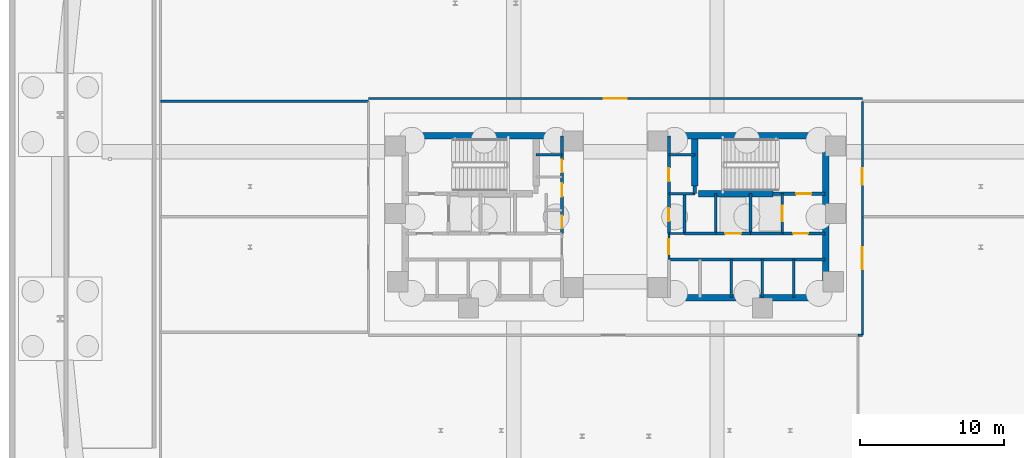
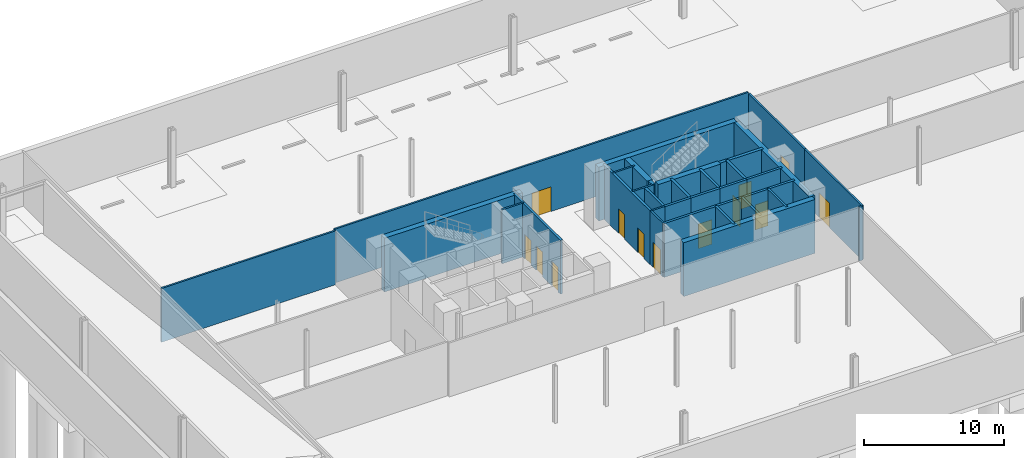
# One storey, part 12 of 16: 32 walls, 13 doors, 13 openings.
"""IFC4 building model written with IfcOpenShell, lengths in metres."""

import ifcopenshell
import ifcopenshell.guid

model = None  # the IFC model being written
_history = None  # IfcOwnerHistory: only IFC2X3 demands one
_inside = {}  # id of a spatial element -> (the spatial element, [elements in it])
_under = {}  # id of a project, library or spatial element -> (it, [spatial elements below it])
_declared = {}  # id of a project -> (the project, [libraries it declares])
_typed = {}  # id of a type object -> (the type object, [elements of that type])
_made_of = {}  # id of a material, layer set ... -> (it, [elements and type objects made of it])


def new_model(schema):
    """Start an empty IFC model of exactly this schema.

    Asked for "IFC4X3", IfcOpenShell would pick the latest addendum, in which some entities
    have other attributes; the version numbers below select the first issue.
    IFC2X3 requires an IfcOwnerHistory on every rooted entity: one is made here for all.
    """
    global model, _history
    if schema == "IFC4X3":
        model = ifcopenshell.file(schema_version=(4, 3, 0, 0))
    else:
        model = ifcopenshell.file(schema=schema)
    _inside.clear()
    _under.clear()
    _declared.clear()
    _typed.clear()
    _made_of.clear()
    _history = None
    if model.schema == "IFC2X3":
        org = make("IfcOrganization", Name="unknown")
        user = make(
            "IfcPersonAndOrganization",
            ThePerson=make("IfcPerson", FamilyName="unknown"),
            TheOrganization=org,
        )
        app = make(
            "IfcApplication",
            ApplicationDeveloper=org,
            Version="unknown",
            ApplicationFullName="unknown",
            ApplicationIdentifier="unknown",
        )
        _history = make(
            "IfcOwnerHistory",
            OwningUser=user,
            OwningApplication=app,
            ChangeAction="ADDED",
            CreationDate=0,
        )
    return model


def make(cls, **values):
    """One entity of the class cls with the attributes given. An attribute that is None is left unset."""
    return model.create_entity(
        cls, **{name: value for name, value in values.items() if value is not None}
    )


def rooted(cls, **values):
    """An entity with a GlobalId (a new one), such as an element, a storey or a relation."""
    return make(cls, GlobalId=ifcopenshell.guid.new(), OwnerHistory=_history, **values)


def si_unit(unit_type, name, prefix=None):
    """IfcSIUnit, for example si_unit("LENGTHUNIT", "METRE", prefix="MILLI")."""
    return make("IfcSIUnit", UnitType=unit_type, Prefix=prefix, Name=name)


def assignment(units):
    """IfcUnitAssignment: the units of a project."""
    return None if units is None else make("IfcUnitAssignment", Units=units)


def point(xyz):
    """IfcCartesianPoint."""
    return None if xyz is None else make("IfcCartesianPoint", Coordinates=xyz)


def direction(xyz):
    """IfcDirection."""
    return None if xyz is None else make("IfcDirection", DirectionRatios=xyz)


def frame(location, z_axis=None, x_axis=None):
    """IfcAxis2Placement3D, a coordinate frame: its origin and axes. An axis left out is left unset."""
    return make(
        "IfcAxis2Placement3D",
        Location=point(location),
        Axis=direction(z_axis),
        RefDirection=direction(x_axis),
    )


def frame_2d(location, x_axis=None):
    """IfcAxis2Placement2D, a coordinate frame in the plane: its origin and x axis."""
    return make(
        "IfcAxis2Placement2D", Location=point(location), RefDirection=direction(x_axis)
    )


def origin():
    """The frame at (0, 0, 0) with its axes left unset."""
    return frame((0.0, 0.0, 0.0))


def place(relative_to, where):
    """IfcLocalPlacement: puts the frame where relative to a parent placement (None: the world)."""
    return make(
        "IfcLocalPlacement", PlacementRelTo=relative_to, RelativePlacement=where
    )


def context(
    kind, dimensions, precision=None, world=None, true_north=None, identifier=None
):
    """IfcGeometricRepresentationContext, for example the 3D "Model" context."""
    return make(
        "IfcGeometricRepresentationContext",
        ContextIdentifier=identifier,
        ContextType=kind,
        CoordinateSpaceDimension=dimensions,
        Precision=precision,
        WorldCoordinateSystem=world,
        TrueNorth=true_north,
    )


def subcontext(parent, identifier, kind, view, scale=None):
    """IfcGeometricRepresentationSubContext, for example "Body" below "Model"."""
    return make(
        "IfcGeometricRepresentationSubContext",
        ContextIdentifier=identifier,
        ContextType=kind,
        ParentContext=parent,
        TargetScale=scale,
        TargetView=view,
    )


def project(units=None, contexts=None):
    """IfcProject with its units and contexts."""
    return rooted(
        "IfcProject",
        Name="project",
        RepresentationContexts=contexts,
        UnitsInContext=assignment(units),
    )


def spatial(cls, under=None, at=None, **own):
    """A site, building, storey or space (cls), placed at a placement, below another one or the project."""
    s = rooted(cls, ObjectPlacement=at, **own)
    if under is not None:
        _under.setdefault(under.id(), (under, []))[1].append(s)
    return s


def profile(cls, at=None, kind="AREA", **sizes):
    """A parametric profile (cls). Its sizes go by their IFC names, for example OverallWidth=200.0."""
    return make(cls, ProfileType=kind, Position=at, **sizes)


def rectangle(**sizes):
    """IfcRectangleProfileDef."""
    return profile("IfcRectangleProfileDef", **sizes)


def extrude(swept, where, along, depth):
    """IfcExtrudedAreaSolid: the profile swept, set in the frame where, extruded along a direction by depth."""
    return make(
        "IfcExtrudedAreaSolid",
        SweptArea=swept,
        Position=where,
        ExtrudedDirection=direction(along),
        Depth=depth,
    )


def shape(context_of_items, identifier, shape_type, items):
    """IfcShapeRepresentation: the items that make up one representation, for example the "Body"."""
    return make(
        "IfcShapeRepresentation",
        ContextOfItems=context_of_items,
        RepresentationIdentifier=identifier,
        RepresentationType=shape_type,
        Items=items,
    )


def material(Name=None, Category=None):
    """IfcMaterial."""
    return make("IfcMaterial", Name=Name, Category=Category)


def layer(
    of_material, thickness, ventilated=None, Name=None, Category=None, Priority=None
):
    """IfcMaterialLayer: one layer of a wall or slab, of a material (None: an air gap)."""
    return make(
        "IfcMaterialLayer",
        Material=of_material,
        LayerThickness=thickness,
        IsVentilated=ventilated,
        Name=Name,
        Category=Category,
        Priority=Priority,
    )


def layer_set(layers, Name=None):
    """IfcMaterialLayerSet."""
    return make("IfcMaterialLayerSet", MaterialLayers=layers, LayerSetName=Name)


def made_of(thing, what):
    """Note that an element or type object is made of a material, layer set ...; save() writes the relation."""
    if what is not None:
        _made_of.setdefault(what.id(), (what, []))[1].append(thing)
    return thing


def type_object(cls, material=None, **own):
    """A type object (cls), such as IfcWallType, which elements share."""
    return made_of(rooted(cls, **own), material)


def element(
    cls,
    number,
    at=None,
    inside=None,
    cuts=None,
    type_object=None,
    material=None,
    context=None,
    identifier="Body",
    shape_type=None,
    held_by="IfcProductDefinitionShape",
    body=None,
    shapes=None,
    **own,
):
    """One element of the class cls, such as IfcWall. Its Tag is "e" and its number.

    at: its placement. inside: the storey or other place that contains it. cuts: it is an
    opening in that element (IfcRelVoidsElement). A single representation is given by context,
    identifier, shape_type and body (its items); several are given by shapes. held_by: the class
    of the entity that holds the representations. save() writes the other relations.
    """
    e = rooted(cls, Tag="e%d" % number, ObjectPlacement=at, **own)
    if body is not None:
        shapes = [shape(context, identifier, shape_type, body)]
    if shapes is not None:
        e.Representation = make(held_by, Representations=shapes)
    if inside is not None:
        _inside.setdefault(inside.id(), (inside, []))[1].append(e)
    if cuts is not None:
        rooted(
            "IfcRelVoidsElement", RelatingBuildingElement=cuts, RelatedOpeningElement=e
        )
    if type_object is not None:
        _typed.setdefault(type_object.id(), (type_object, []))[1].append(e)
    return made_of(e, material)


def fill(opening, filler):
    """IfcRelFillsElement: the door or window that sits in an opening."""
    return rooted(
        "IfcRelFillsElement",
        RelatingOpeningElement=opening,
        RelatedBuildingElement=filler,
    )


def aggregate(whole, parts):
    """IfcRelAggregates: a whole, such as a stair, and the parts it consists of."""
    return rooted("IfcRelAggregates", RelatingObject=whole, RelatedObjects=parts)


def save(model, path):
    """Write the relations noted so far, then the file.

    IfcRelAggregates (storeys below a building ...), IfcRelContainedInSpatialStructure (elements
    in a storey), IfcRelDefinesByType, IfcRelAssociatesMaterial and IfcRelDeclares: one each for
    every whole, place, type object, material and project.
    """
    for whole, parts in _under.values():
        aggregate(whole, parts)
    for where, things in _inside.values():
        rooted(
            "IfcRelContainedInSpatialStructure",
            RelatedElements=things,
            RelatingStructure=where,
        )
    for kind, things in _typed.values():
        rooted("IfcRelDefinesByType", RelatedObjects=things, RelatingType=kind)
    for what, things in _made_of.values():
        rooted("IfcRelAssociatesMaterial", RelatedObjects=things, RelatingMaterial=what)
    for by, libraries in _declared.values():
        rooted("IfcRelDeclares", RelatingContext=by, RelatedDefinitions=libraries)
    model.write(path)


model = new_model("IFC4")

# Units and contexts
model_context = context("Model", 3, precision=1e-05, world=origin(), true_north=direction((0.0, 1.0)))
body_context = subcontext(model_context, "Body", "Model", "MODEL_VIEW")
ifc_project = project(units=[si_unit("LENGTHUNIT", "METRE"), si_unit("AREAUNIT", "SQUARE_METRE"), si_unit("VOLUMEUNIT", "CUBIC_METRE"), si_unit("PLANEANGLEUNIT", "RADIAN"), si_unit("MASSUNIT", "GRAM", prefix="KILO")], contexts=[model_context])

# Site, building, storey
site_placement = place(None, origin())
site = spatial("IfcSite", under=ifc_project, at=site_placement, CompositionType="ELEMENT")
building_placement = place(site_placement, origin())
building = spatial("IfcBuilding", under=site, at=building_placement, Name="Menara Jurai Vektor", CompositionType="ELEMENT")
storey_placement = place(building_placement, frame((0.0, 0.0, -5.0)))
storey = spatial("IfcBuildingStorey", under=building, at=storey_placement, Name="B1", CompositionType="ELEMENT", Elevation=-5.0)

# Wall, opening, door
ifc_material_1 = material(Name="Concrete C40/50", Category="concrete")
ifc_layer_1 = layer(ifc_material_1, 0.25)
ifc_layer_set_1 = layer_set([ifc_layer_1], Name="Concrete C40/50")
wall_type_1 = type_object("IfcWallType", Name="INT-WALL-CORE-250", PredefinedType="STANDARD", material=ifc_layer_set_1)
wall_1_placement = place(storey_placement, frame((10.89990234375, 1.60009765625, 0.0), z_axis=(0.0, 0.0, 1.0), x_axis=(1.0, 0.0, 0.0)))
wall_1 = element("IfcWall", 1, at=wall_1_placement, inside=storey, type_object=wall_type_1, Name="Interior Wall IW-250 B1", PredefinedType="STANDARD", context=body_context, shape_type="SweptSolid", body=[
    extrude(rectangle(XDim=3.60009765625, YDim=0.25, at=frame_2d((1.800048828125, 0.0))), origin(), (0.0, 0.0, 1.0), 4.699951171875),
])
opening_1_placement = place(wall_1_placement, frame((1.6201171875, 0.0, 0.0)))
opening_1 = element("IfcOpeningElement", 2, at=opening_1_placement, cuts=wall_1, Name="Opening D-B1-ST2", PredefinedType="OPENING", context=body_context, shape_type="SweptSolid", body=[
    extrude(rectangle(XDim=1.050048828125, YDim=2.14990234375, at=frame_2d((0.52490234375, 1.074951171875))), frame((0.0, 0.135009765625, 0.0), z_axis=(0.0, -1.0, 0.0), x_axis=(1.0, 0.0, 0.0)), (0.0, 0.0, 1.0), 0.27001953125),
])
ifc_material_2 = material(Name="Fire-Rated Steel Door", Category="steel")
door_type_1 = type_object("IfcDoorType", Name="DR-STAIR-1050", OperationType="NOTDEFINED", PredefinedType="DOOR", material=ifc_material_2)
door_1_placement = place(opening_1_placement, origin())
door_1 = element("IfcDoor", 3, at=door_1_placement, inside=storey, type_object=door_type_1, Name="Exit Stair ST2 Door B1", OperationType="SINGLE_SWING_LEFT", OverallHeight=2.14990234375, OverallWidth=1.050048828125, PredefinedType="DOOR", context=body_context, shape_type="SweptSolid", body=[
    extrude(rectangle(XDim=1.050048828125, YDim=2.14990234375, at=frame_2d((0.52490234375, 1.074951171875))), frame((0.0, 0.02490234375, 0.0), z_axis=(0.0, -1.0, 0.0), x_axis=(1.0, 0.0, 0.0)), (0.0, 0.0, 1.0), 0.050048828125),
])
fill(opening_1, door_1)

# Wall
wall_2_placement = place(storey_placement, frame((5.5, 1.60009765625, 0.0), z_axis=(0.0, 0.0, 1.0), x_axis=(0.0, 1.0, 0.0)))
element("IfcWall", 4, at=wall_2_placement, inside=storey, type_object=wall_type_1, Name="Interior Wall IW-250 B1", PredefinedType="STANDARD", context=body_context, shape_type="SweptSolid", body=[
    extrude(rectangle(XDim=0.5498046875, YDim=0.25, at=frame_2d((0.27490234375, 0.0))), origin(), (0.0, 0.0, 1.0), 4.699951171875),
])

# Wall, opening, door
wall_3_placement = place(storey_placement, frame((11.550048828125, -1.14990234375, 0.0), z_axis=(0.0, 0.0, 1.0), x_axis=(0.0, 1.0, 0.0)))
wall_3 = element("IfcWall", 5, at=wall_3_placement, inside=storey, type_object=wall_type_1, Name="Interior Wall IW-250 B1", PredefinedType="STANDARD", context=body_context, shape_type="SweptSolid", body=[
    extrude(rectangle(XDim=2.75, YDim=0.199951171875, at=frame_2d((1.375, 0.0))), origin(), (0.0, 0.0, 1.0), 4.699951171875),
])
opening_2_placement = place(wall_3_placement, frame((0.824951171875, 0.0, 0.0)))
opening_2 = element("IfcOpeningElement", 6, at=opening_2_placement, cuts=wall_3, Name="Opening LD-B1-FL2", PredefinedType="OPENING", context=body_context, shape_type="SweptSolid", body=[
    extrude(rectangle(XDim=1.10009765625, YDim=2.14990234375, at=frame_2d((0.550048828125, 1.074951171875))), frame((0.0, 0.10986328125, 0.0), z_axis=(0.0, -1.0, 0.0), x_axis=(1.0, 0.0, 0.0)), (0.0, 0.0, 1.0), 0.219970703125),
])
ifc_material_3 = material(Name="Stainless Steel Sliding Lift Landing Door", Category="steel")
door_type_2 = type_object("IfcDoorType", Name="DR-LIFT-FIRE-1100", OperationType="NOTDEFINED", PredefinedType="DOOR", material=ifc_material_3)
door_2_placement = place(opening_2_placement, origin())
door_2 = element("IfcDoor", 7, at=door_2_placement, inside=storey, type_object=door_type_2, Name="Lift Landing Door FL2 B1", OperationType="SLIDING_TO_RIGHT", OverallHeight=2.14990234375, OverallWidth=1.10009765625, PredefinedType="DOOR", context=body_context, shape_type="SweptSolid", body=[
    extrude(rectangle(XDim=1.10009765625, YDim=2.14990234375, at=frame_2d((0.550048828125, 1.074951171875))), frame((0.0, 0.02490234375, 0.0), z_axis=(0.0, -1.0, 0.0), x_axis=(1.0, 0.0, 0.0)), (0.0, 0.0, 1.0), 0.050048828125),
])
fill(opening_2, door_2)

# Wall
wall_4_placement = place(storey_placement, frame((9.35009765625, -1.14990234375, 0.0), z_axis=(0.0, 0.0, 1.0), x_axis=(0.0, 1.0, 0.0)))
element("IfcWall", 8, at=wall_4_placement, inside=storey, type_object=wall_type_1, Name="Interior Wall IW-250 B1", PredefinedType="STANDARD", context=body_context, shape_type="SweptSolid", body=[
    extrude(rectangle(XDim=2.75, YDim=0.199951171875, at=frame_2d((1.375, 0.0))), origin(), (0.0, 0.0, 1.0), 4.699951171875),
])

# Wall, opening, door
wall_5_placement = place(storey_placement, frame((11.550048828125, -1.14990234375, 0.0), z_axis=(0.0, 0.0, 1.0), x_axis=(1.0, 0.0, 0.0)))
wall_5 = element("IfcWall", 9, at=wall_5_placement, inside=storey, type_object=wall_type_1, Name="Interior Wall IW-250 B1", PredefinedType="STANDARD", context=body_context, shape_type="SweptSolid", body=[
    extrude(rectangle(XDim=2.949951171875, YDim=0.199951171875, at=frame_2d((1.47509765625, 0.0))), origin(), (0.0, 0.0, 1.0), 4.699951171875),
])
opening_3_placement = place(wall_5_placement, frame((0.75, 0.0, 0.0)))
opening_3 = element("IfcOpeningElement", 10, at=opening_3_placement, cuts=wall_5, Name="Opening D-B1-FFE", PredefinedType="OPENING", context=body_context, shape_type="SweptSolid", body=[
    extrude(rectangle(XDim=1.050048828125, YDim=2.179931640625, at=frame_2d((0.52490234375, 1.08984375))), frame((0.0, 0.10986328125, 0.0), z_axis=(0.0, -1.0, 0.0), x_axis=(1.0, 0.0, 0.0)), (0.0, 0.0, 1.0), 0.219970703125),
])
ifc_material_4 = material(Name="Fire-Rated Timber Door", Category="wood")
door_type_3 = type_object("IfcDoorType", Name="DR-LOBBY-1050", OperationType="NOTDEFINED", PredefinedType="DOOR", material=ifc_material_4)
door_3_placement = place(opening_3_placement, origin())
door_3 = element("IfcDoor", 11, at=door_3_placement, inside=storey, type_object=door_type_3, Name="Fire Lift Lobby Door E B1", OperationType="SINGLE_SWING_LEFT", OverallHeight=2.179931640625, OverallWidth=1.050048828125, PredefinedType="DOOR", context=body_context, shape_type="SweptSolid", body=[
    extrude(rectangle(XDim=1.050048828125, YDim=2.179931640625, at=frame_2d((0.52490234375, 1.08984375))), frame((0.0, 0.02490234375, 0.0), z_axis=(0.0, -1.0, 0.0), x_axis=(1.0, 0.0, 0.0)), (0.0, 0.0, 1.0), 0.050048828125),
])
fill(opening_3, door_3)

# Wall
wall_6_placement = place(storey_placement, frame((9.35009765625, -1.14990234375, 0.0), z_axis=(0.0, 0.0, 1.0), x_axis=(1.0, 0.0, 0.0)))
element("IfcWall", 12, at=wall_6_placement, inside=storey, type_object=wall_type_1, Name="Interior Wall IW-250 B1", PredefinedType="STANDARD", context=body_context, shape_type="SweptSolid", body=[
    extrude(rectangle(XDim=2.199951171875, YDim=0.199951171875, at=frame_2d((1.10009765625, 0.0))), origin(), (0.0, 0.0, 1.0), 4.699951171875),
])

# Wall, opening, door
ifc_material_5 = material(Name="Gypsum Fireboard Partition", Category="gypsum")
ifc_layer_2 = layer(ifc_material_5, 0.14990234375)
ifc_layer_set_2 = layer_set([ifc_layer_2], Name="Gypsum Fireboard Partition")
wall_type_2 = type_object("IfcWallType", Name="INT-WALL-CORR-150", PredefinedType="PARTITIONING", material=ifc_layer_set_2)
wall_7_placement = place(storey_placement, frame((3.699951171875, -2.949951171875, 0.0), z_axis=(0.0, 0.0, 1.0), x_axis=(0.0, 1.0, 0.0)))
wall_7 = element("IfcWall", 13, at=wall_7_placement, inside=storey, type_object=wall_type_2, Name="Interior Wall IW-150 B1", PredefinedType="PARTITIONING", context=body_context, shape_type="SweptSolid", body=[
    extrude(rectangle(XDim=1.800048828125, YDim=0.14990234375, at=frame_2d((0.89990234375, 0.0))), origin(), (0.0, 0.0, 1.0), 4.699951171875),
])
opening_4_placement = place(wall_7_placement, frame((0.35009765625, 0.0, 0.0)))
opening_4 = element("IfcOpeningElement", 14, at=opening_4_placement, cuts=wall_7, Name="Opening D-B1-LLE", PredefinedType="OPENING", context=body_context, shape_type="SweptSolid", body=[
    extrude(rectangle(XDim=1.050048828125, YDim=2.179931640625, at=frame_2d((0.52490234375, 1.08984375))), frame((0.0, 0.0849609375, 0.0), z_axis=(0.0, -1.0, 0.0), x_axis=(1.0, 0.0, 0.0)), (0.0, 0.0, 1.0), 0.169921875),
])
door_4_placement = place(opening_4_placement, frame((1.050048828125, 0.0, 0.0), z_axis=(0.0, 0.0, 1.0), x_axis=(-1.0, 0.0, 0.0)))
door_4 = element("IfcDoor", 15, at=door_4_placement, inside=storey, type_object=door_type_3, Name="Lift Lobby Corridor Door E B1", OperationType="SINGLE_SWING_RIGHT", OverallHeight=2.179931640625, OverallWidth=1.050048828125, PredefinedType="DOOR", context=body_context, shape_type="SweptSolid", body=[
    extrude(rectangle(XDim=1.050048828125, YDim=2.179931640625, at=frame_2d((0.52490234375, 1.08984375))), frame((0.0, 0.02490234375, 0.0), z_axis=(0.0, -1.0, 0.0), x_axis=(1.0, 0.0, 0.0)), (0.0, 0.0, 1.0), 0.050048828125),
])
fill(opening_4, door_4)

# Walls
wall_8_placement = place(storey_placement, frame((3.699951171875, -1.14990234375, 0.0), z_axis=(0.0, 0.0, 1.0), x_axis=(1.0, 0.0, 0.0)))
element("IfcWall", 16, at=wall_8_placement, inside=storey, type_object=wall_type_2, Name="Interior Wall IW-150 B1", PredefinedType="PARTITIONING", context=body_context, shape_type="SweptSolid", body=[
    extrude(rectangle(XDim=1.090087890625, YDim=0.14990234375, at=frame_2d((0.544921875, 0.0))), origin(), (0.0, 0.0, 1.0), 4.699951171875),
])
for number, where, z_axis, x_axis, name in (
    (17, (-5.5, 4.300048828125, 0.0), (0.0, 0.0, 1.0), (1.0, 0.0, 0.0), "Interior Wall IW-150 B1"),
    (18, (3.699951171875, 4.300048828125, 0.0), (0.0, 0.0, 1.0), (1.0, 0.0, 0.0), "Interior Wall IW-150 B1"),
    (19, (3.699951171875, 1.60009765625, 0.0), (0.0, 0.0, 1.0), (1.0, 0.0, 0.0), "Interior Wall IW-150 B1"),
):
    element("IfcWall", number, at=place(storey_placement, frame(where, z_axis=z_axis, x_axis=x_axis)), inside=storey, type_object=wall_type_2, Name=name, PredefinedType="PARTITIONING", context=body_context, shape_type="SweptSolid", body=[
        extrude(rectangle(XDim=1.800048828125, YDim=0.14990234375, at=frame_2d((0.89990234375, 0.0))), origin(), (0.0, 0.0, 1.0), 4.699951171875),
    ])

# Wall, opening, door
wall_9_placement = place(storey_placement, frame((-17.10009765625, 8.199951171875, 0.0), z_axis=(0.0, 0.0, 1.0), x_axis=(1.0, 0.0, 0.0)))
wall_9 = element("IfcWall", 20, at=wall_9_placement, inside=storey, type_object=wall_type_2, Name="Interior Wall IW-150 B1", PredefinedType="PARTITIONING", context=body_context, shape_type="SweptSolid", body=[
    extrude(rectangle(XDim=34.2001953125, YDim=0.14990234375, at=frame_2d((17.10009765625, 0.0))), origin(), (0.0, 0.0, 1.0), 4.699951171875),
])
opening_5_placement = place(wall_9_placement, frame((16.300048828125, 0.0, 0.0)))
opening_5 = element("IfcOpeningElement", 21, at=opening_5_placement, cuts=wall_9, Name="Opening DB1-06", PredefinedType="OPENING", context=body_context, shape_type="SweptSolid", body=[
    extrude(rectangle(XDim=1.60009765625, YDim=2.14990234375, at=frame_2d((0.800048828125, 1.074951171875))), frame((0.0, 0.0849609375, 0.0), z_axis=(0.0, -1.0, 0.0), x_axis=(1.0, 0.0, 0.0)), (0.0, 0.0, 1.0), 0.169921875),
])
ifc_material_6 = material(Name="Fire-Rated Double Steel Door", Category="steel")
door_type_4 = type_object("IfcDoorType", Name="DR-PLANT-DBL-1600", OperationType="NOTDEFINED", PredefinedType="DOOR", material=ifc_material_6)
door_5_placement = place(opening_5_placement, origin())
door_5 = element("IfcDoor", 22, at=door_5_placement, inside=storey, type_object=door_type_4, Name="Interior Door DB1-06", OperationType="DOUBLE_DOOR_SINGLE_SWING", OverallHeight=2.14990234375, OverallWidth=1.60009765625, PredefinedType="DOOR", context=body_context, shape_type="SweptSolid", body=[
    extrude(rectangle(XDim=1.60009765625, YDim=2.14990234375, at=frame_2d((0.800048828125, 1.074951171875))), frame((0.0, 0.02490234375, 0.0), z_axis=(0.0, -1.0, 0.0), x_axis=(1.0, 0.0, 0.0)), (0.0, 0.0, 1.0), 0.050048828125),
])
fill(opening_5, door_5)

# Wall
wall_10_placement = place(storey_placement, frame((16.800048828125, -8.199951171875, 0.0), z_axis=(0.0, 0.0, 1.0), x_axis=(1.0, 0.0, 0.0)))
element("IfcWall", 23, at=wall_10_placement, inside=storey, type_object=wall_type_2, Name="Interior Wall IW-150 B1", PredefinedType="PARTITIONING", context=body_context, shape_type="SweptSolid", body=[
    extrude(rectangle(XDim=0.300048828125, YDim=0.14990234375, at=frame_2d((0.14990234375, 0.0))), origin(), (0.0, 0.0, 1.0), 4.699951171875),
])

# Wall, opening, door
wall_11_placement = place(storey_placement, frame((17.10009765625, -8.199951171875, 0.0), z_axis=(0.0, 0.0, 1.0), x_axis=(0.0, 1.0, 0.0)))
wall_11 = element("IfcWall", 24, at=wall_11_placement, inside=storey, type_object=wall_type_2, Name="Interior Wall IW-150 B1", PredefinedType="PARTITIONING", context=body_context, shape_type="SweptSolid", body=[
    extrude(rectangle(XDim=8.199951171875, YDim=0.14990234375, at=frame_2d((4.10009765625, 0.0))), origin(), (0.0, 0.0, 1.0), 4.699951171875),
])
opening_6_placement = place(wall_11_placement, frame((4.580078125, 0.0, 0.0)))
opening_6 = element("IfcOpeningElement", 25, at=opening_6_placement, cuts=wall_11, Name="Opening DB1-08", PredefinedType="OPENING", context=body_context, shape_type="SweptSolid", body=[
    extrude(rectangle(XDim=1.5, YDim=2.14990234375, at=frame_2d((0.75, 1.074951171875))), frame((0.0, 0.0849609375, 0.0), z_axis=(0.0, -1.0, 0.0), x_axis=(1.0, 0.0, 0.0)), (0.0, 0.0, 1.0), 0.169921875),
])
ifc_material_7 = material(Name="Solid Core Timber Fire Door", Category="wood")
door_type_5 = type_object("IfcDoorType", Name="DR-ENTRY-950", OperationType="NOTDEFINED", PredefinedType="DOOR", material=ifc_material_7)
door_6_placement = place(opening_6_placement, origin())
door_6 = element("IfcDoor", 26, at=door_6_placement, inside=storey, type_object=door_type_5, Name="Interior Door DB1-08", OperationType="DOUBLE_DOOR_SINGLE_SWING", OverallHeight=2.14990234375, OverallWidth=1.5, PredefinedType="DOOR", context=body_context, shape_type="SweptSolid", body=[
    extrude(rectangle(XDim=1.5, YDim=2.14990234375, at=frame_2d((0.75, 1.074951171875))), frame((0.0, 0.02490234375, 0.0), z_axis=(0.0, -1.0, 0.0), x_axis=(1.0, 0.0, 0.0)), (0.0, 0.0, 1.0), 0.050048828125),
])
fill(opening_6, door_6)

wall_12_placement = place(storey_placement, frame((17.10009765625, 0.0, 0.0), z_axis=(0.0, 0.0, 1.0), x_axis=(0.0, 1.0, 0.0)))
wall_12 = element("IfcWall", 27, at=wall_12_placement, inside=storey, type_object=wall_type_2, Name="Interior Wall IW-150 B1", PredefinedType="PARTITIONING", context=body_context, shape_type="SweptSolid", body=[
    extrude(rectangle(XDim=8.0, YDim=0.14990234375, at=frame_2d((4.0, 0.0))), origin(), (0.0, 0.0, 1.0), 4.699951171875),
])
opening_7_placement = place(wall_12_placement, frame((2.22509765625, 0.0, 0.0)))
opening_7 = element("IfcOpeningElement", 28, at=opening_7_placement, cuts=wall_12, Name="Opening DB1-09", PredefinedType="OPENING", context=body_context, shape_type="SweptSolid", body=[
    extrude(rectangle(XDim=1.14990234375, YDim=2.14990234375, at=frame_2d((0.574951171875, 1.074951171875))), frame((0.0, 0.0849609375, 0.0), z_axis=(0.0, -1.0, 0.0), x_axis=(1.0, 0.0, 0.0)), (0.0, 0.0, 1.0), 0.169921875),
])
ifc_material_8 = material(Name="Fire-Rated Steel Plant Door", Category="steel")
door_type_6 = type_object("IfcDoorType", Name="DR-PLANT-1150", OperationType="NOTDEFINED", PredefinedType="DOOR", material=ifc_material_8)
door_7_placement = place(opening_7_placement, origin())
door_7 = element("IfcDoor", 29, at=door_7_placement, inside=storey, type_object=door_type_6, Name="Interior Door DB1-09", OperationType="SINGLE_SWING_LEFT", OverallHeight=2.14990234375, OverallWidth=1.14990234375, PredefinedType="DOOR", context=body_context, shape_type="SweptSolid", body=[
    extrude(rectangle(XDim=1.14990234375, YDim=2.14990234375, at=frame_2d((0.574951171875, 1.074951171875))), frame((0.0, 0.02490234375, 0.0), z_axis=(0.0, -1.0, 0.0), x_axis=(1.0, 0.0, 0.0)), (0.0, 0.0, 1.0), 0.050048828125),
])
fill(opening_7, door_7)

# Wall
wall_13_placement = place(storey_placement, frame((-31.5, 8.0, 0.0), z_axis=(0.0, 0.0, 1.0), x_axis=(1.0, 0.0, 0.0)))
element("IfcWall", 30, at=wall_13_placement, inside=storey, type_object=wall_type_2, Name="Interior Wall IW-150 B1", PredefinedType="PARTITIONING", context=body_context, shape_type="SweptSolid", body=[
    extrude(rectangle(XDim=14.39990234375, YDim=0.14990234375, at=frame_2d((7.199951171875, 0.0))), origin(), (0.0, 0.0, 1.0), 4.699951171875),
])

# Wall, openings, doors
ifc_layer_3 = layer(ifc_material_1, 0.199951171875)
ifc_layer_set_3 = layer_set([ifc_layer_3], Name="Concrete C40/50")
wall_type_3 = type_object("IfcWallType", Name="INT-WALL-SHAFT-200", PredefinedType="STANDARD", material=ifc_layer_set_3)
wall_14_placement = place(storey_placement, frame((-3.699951171875, -1.14990234375, 0.0), z_axis=(0.0, 0.0, 1.0), x_axis=(0.0, 1.0, 0.0)))
wall_14 = element("IfcWall", 31, at=wall_14_placement, inside=storey, type_object=wall_type_3, Name="Interior Wall IW-200 B1", PredefinedType="STANDARD", context=body_context, shape_type="SweptSolid", body=[
    extrude(rectangle(XDim=6.75, YDim=0.199951171875, at=frame_2d((3.375, 0.0))), origin(), (0.0, 0.0, 1.0), 4.699951171875),
])
opening_8_placement = place(wall_14_placement, frame((0.35009765625, 0.0, 0.0)))
opening_8 = element("IfcOpeningElement", 32, at=opening_8_placement, cuts=wall_14, Name="Opening DB1-01", PredefinedType="OPENING", context=body_context, shape_type="SweptSolid", body=[
    extrude(rectangle(XDim=0.8798828125, YDim=2.14990234375, at=frame_2d((0.43994140625, 1.074951171875))), frame((0.0, 0.10986328125, 0.0), z_axis=(0.0, -1.0, 0.0), x_axis=(1.0, 0.0, 0.0)), (0.0, 0.0, 1.0), 0.219970703125),
])
opening_9_placement = place(wall_14_placement, frame((2.550048828125, 0.0, 0.0)))
opening_9 = element("IfcOpeningElement", 33, at=opening_9_placement, cuts=wall_14, Name="Opening DB1-02", PredefinedType="OPENING", context=body_context, shape_type="SweptSolid", body=[
    extrude(rectangle(XDim=0.919921875, YDim=2.14990234375, at=frame_2d((0.4599609375, 1.074951171875))), frame((0.0, 0.10986328125, 0.0), z_axis=(0.0, -1.0, 0.0), x_axis=(1.0, 0.0, 0.0)), (0.0, 0.0, 1.0), 0.219970703125),
])
opening_10_placement = place(wall_14_placement, frame((4.219970703125, 0.0, 0.0)))
opening_10 = element("IfcOpeningElement", 34, at=opening_10_placement, cuts=wall_14, Name="Opening DB1-03", PredefinedType="OPENING", context=body_context, shape_type="SweptSolid", body=[
    extrude(rectangle(XDim=0.8798828125, YDim=2.14990234375, at=frame_2d((0.43994140625, 1.074951171875))), frame((0.0, 0.10986328125, 0.0), z_axis=(0.0, -1.0, 0.0), x_axis=(1.0, 0.0, 0.0)), (0.0, 0.0, 1.0), 0.219970703125),
])
door_8_placement = place(opening_8_placement, origin())
door_8 = element("IfcDoor", 35, at=door_8_placement, inside=storey, type_object=door_type_5, Name="Interior Door DB1-01", OperationType="SINGLE_SWING_LEFT", OverallHeight=2.14990234375, OverallWidth=0.8798828125, PredefinedType="DOOR", context=body_context, shape_type="SweptSolid", body=[
    extrude(rectangle(XDim=0.8798828125, YDim=2.14990234375, at=frame_2d((0.43994140625, 1.074951171875))), frame((0.0, 0.02490234375, 0.0), z_axis=(0.0, -1.0, 0.0), x_axis=(1.0, 0.0, 0.0)), (0.0, 0.0, 1.0), 0.050048828125),
])
fill(opening_8, door_8)
door_9_placement = place(opening_9_placement, origin())
door_9 = element("IfcDoor", 36, at=door_9_placement, inside=storey, type_object=door_type_5, Name="Interior Door DB1-02", OperationType="SINGLE_SWING_LEFT", OverallHeight=2.14990234375, OverallWidth=0.919921875, PredefinedType="DOOR", context=body_context, shape_type="SweptSolid", body=[
    extrude(rectangle(XDim=0.919921875, YDim=2.14990234375, at=frame_2d((0.4599609375, 1.074951171875))), frame((0.0, 0.02490234375, 0.0), z_axis=(0.0, -1.0, 0.0), x_axis=(1.0, 0.0, 0.0)), (0.0, 0.0, 1.0), 0.050048828125),
])
fill(opening_9, door_9)
door_10_placement = place(opening_10_placement, origin())
door_10 = element("IfcDoor", 37, at=door_10_placement, inside=storey, type_object=door_type_5, Name="Interior Door DB1-03", OperationType="SINGLE_SWING_LEFT", OverallHeight=2.14990234375, OverallWidth=0.8798828125, PredefinedType="DOOR", context=body_context, shape_type="SweptSolid", body=[
    extrude(rectangle(XDim=0.8798828125, YDim=2.14990234375, at=frame_2d((0.43994140625, 1.074951171875))), frame((0.0, 0.02490234375, 0.0), z_axis=(0.0, -1.0, 0.0), x_axis=(1.0, 0.0, 0.0)), (0.0, 0.0, 1.0), 0.050048828125),
])
fill(opening_10, door_10)

wall_15_placement = place(storey_placement, frame((3.699951171875, -1.14990234375, 0.0), z_axis=(0.0, 0.0, 1.0), x_axis=(0.0, 1.0, 0.0)))
wall_15 = element("IfcWall", 38, at=wall_15_placement, inside=storey, type_object=wall_type_3, Name="Interior Wall IW-200 B1", PredefinedType="STANDARD", context=body_context, shape_type="SweptSolid", body=[
    extrude(rectangle(XDim=6.75, YDim=0.199951171875, at=frame_2d((3.375, 0.0))), origin(), (0.0, 0.0, 1.0), 4.699951171875),
])
opening_11_placement = place(wall_15_placement, frame((3.60009765625, 0.0, 0.0)))
opening_11 = element("IfcOpeningElement", 39, at=opening_11_placement, cuts=wall_15, Name="Opening DB1-04", PredefinedType="OPENING", context=body_context, shape_type="SweptSolid", body=[
    extrude(rectangle(XDim=0.919921875, YDim=2.14990234375, at=frame_2d((0.4599609375, 1.074951171875))), frame((0.0, 0.10986328125, 0.0), z_axis=(0.0, -1.0, 0.0), x_axis=(1.0, 0.0, 0.0)), (0.0, 0.0, 1.0), 0.219970703125),
])
opening_12_placement = place(wall_15_placement, frame((0.85009765625, 0.0, 0.0)))
opening_12 = element("IfcOpeningElement", 40, at=opening_12_placement, cuts=wall_15, Name="Opening DB1-05", PredefinedType="OPENING", context=body_context, shape_type="SweptSolid", body=[
    extrude(rectangle(XDim=0.89990234375, YDim=2.14990234375, at=frame_2d((0.449951171875, 1.074951171875))), frame((0.0, 0.10986328125, 0.0), z_axis=(0.0, -1.0, 0.0), x_axis=(1.0, 0.0, 0.0)), (0.0, 0.0, 1.0), 0.219970703125),
])
door_11_placement = place(opening_11_placement, origin())
door_11 = element("IfcDoor", 41, at=door_11_placement, inside=storey, type_object=door_type_5, Name="Interior Door DB1-04", OperationType="SINGLE_SWING_RIGHT", OverallHeight=2.14990234375, OverallWidth=0.919921875, PredefinedType="DOOR", context=body_context, shape_type="SweptSolid", body=[
    extrude(rectangle(XDim=0.919921875, YDim=2.14990234375, at=frame_2d((0.4599609375, 1.074951171875))), frame((0.0, 0.02490234375, 0.0), z_axis=(0.0, -1.0, 0.0), x_axis=(1.0, 0.0, 0.0)), (0.0, 0.0, 1.0), 0.050048828125),
])
fill(opening_11, door_11)
door_12_placement = place(opening_12_placement, origin())
door_12 = element("IfcDoor", 42, at=door_12_placement, inside=storey, type_object=door_type_5, Name="Interior Door DB1-05", OperationType="SINGLE_SWING_RIGHT", OverallHeight=2.14990234375, OverallWidth=0.89990234375, PredefinedType="DOOR", context=body_context, shape_type="SweptSolid", body=[
    extrude(rectangle(XDim=0.89990234375, YDim=2.14990234375, at=frame_2d((0.449951171875, 1.074951171875))), frame((0.0, 0.02490234375, 0.0), z_axis=(0.0, -1.0, 0.0), x_axis=(1.0, 0.0, 0.0)), (0.0, 0.0, 1.0), 0.050048828125),
])
fill(opening_12, door_12)

# Wall
wall_16_placement = place(storey_placement, frame((6.949951171875, -1.14990234375, 0.0), z_axis=(0.0, 0.0, 1.0), x_axis=(0.0, 1.0, 0.0)))
element("IfcWall", 43, at=wall_16_placement, inside=storey, type_object=wall_type_3, Name="Interior Wall IW-200 B1", PredefinedType="STANDARD", context=body_context, shape_type="SweptSolid", body=[
    extrude(rectangle(XDim=2.75, YDim=0.199951171875, at=frame_2d((1.375, 0.0))), origin(), (0.0, 0.0, 1.0), 4.699951171875),
])

# Wall, opening, door
wall_17_placement = place(storey_placement, frame((6.949951171875, -1.14990234375, 0.0), z_axis=(0.0, 0.0, 1.0), x_axis=(1.0, 0.0, 0.0)))
wall_17 = element("IfcWall", 44, at=wall_17_placement, inside=storey, type_object=wall_type_3, Name="Interior Wall IW-200 B1", PredefinedType="STANDARD", context=body_context, shape_type="SweptSolid", body=[
    extrude(rectangle(XDim=2.400146484375, YDim=0.199951171875, at=frame_2d((1.2001953125, 0.0))), origin(), (0.0, 0.0, 1.0), 4.699951171875),
])
opening_13_placement = place(wall_17_placement, frame((0.64990234375, 0.0, 0.0)))
opening_13 = element("IfcOpeningElement", 45, at=opening_13_placement, cuts=wall_17, Name="Opening LD-B1-SVL2", PredefinedType="OPENING", context=body_context, shape_type="SweptSolid", body=[
    extrude(rectangle(XDim=1.10009765625, YDim=2.14990234375, at=frame_2d((0.550048828125, 1.074951171875))), frame((0.0, 0.10986328125, 0.0), z_axis=(0.0, -1.0, 0.0), x_axis=(1.0, 0.0, 0.0)), (0.0, 0.0, 1.0), 0.219970703125),
])
ifc_material_9 = material(Name="Anodised Stainless Sliding Lift Landing Door", Category="steel")
door_type_7 = type_object("IfcDoorType", Name="DR-LIFT-PASS-1100", OperationType="NOTDEFINED", PredefinedType="DOOR", material=ifc_material_9)
door_13_placement = place(opening_13_placement, origin())
door_13 = element("IfcDoor", 46, at=door_13_placement, inside=storey, type_object=door_type_7, Name="Lift Landing Door SVL2 B1", OperationType="SLIDING_TO_RIGHT", OverallHeight=2.14990234375, OverallWidth=1.10009765625, PredefinedType="DOOR", context=body_context, shape_type="SweptSolid", body=[
    extrude(rectangle(XDim=1.10009765625, YDim=2.14990234375, at=frame_2d((0.550048828125, 1.074951171875))), frame((0.0, 0.02490234375, 0.0), z_axis=(0.0, -1.0, 0.0), x_axis=(1.0, 0.0, 0.0)), (0.0, 0.0, 1.0), 0.050048828125),
])
fill(opening_13, door_13)

# Walls
wall_18_placement = place(storey_placement, frame((4.7900390625, -1.14990234375, 0.0), z_axis=(0.0, 0.0, 1.0), x_axis=(0.0, 1.0, 0.0)))
element("IfcWall", 47, at=wall_18_placement, inside=storey, type_object=wall_type_3, Name="Interior Wall IW-200 B1", PredefinedType="STANDARD", context=body_context, shape_type="SweptSolid", body=[
    extrude(rectangle(XDim=2.75, YDim=0.199951171875, at=frame_2d((1.375, 0.0))), origin(), (0.0, 0.0, 1.0), 4.699951171875),
])
wall_19_placement = place(storey_placement, frame((4.7900390625, -1.14990234375, 0.0), z_axis=(0.0, 0.0, 1.0), x_axis=(1.0, 0.0, 0.0)))
element("IfcWall", 48, at=wall_19_placement, inside=storey, type_object=wall_type_3, Name="Interior Wall IW-200 B1", PredefinedType="STANDARD", context=body_context, shape_type="SweptSolid", body=[
    extrude(rectangle(XDim=2.159912109375, YDim=0.199951171875, at=frame_2d((1.080078125, 0.0))), origin(), (0.0, 0.0, 1.0), 4.699951171875),
])
wall_20_placement = place(storey_placement, frame((3.699951171875, -2.949951171875, 0.0), z_axis=(0.0, 0.0, 1.0), x_axis=(1.0, 0.0, 0.0)))
element("IfcWall", 49, at=wall_20_placement, inside=storey, type_object=wall_type_3, Name="Interior Wall IW-200 B1", PredefinedType="STANDARD", context=body_context, shape_type="SweptSolid", body=[
    extrude(rectangle(XDim=10.800048828125, YDim=0.199951171875, at=frame_2d((5.39990234375, 0.0))), origin(), (0.0, 0.0, 1.0), 4.699951171875),
])
for number, where, z_axis, x_axis, name in (
    (50, (12.340087890625, -5.60009765625, 0.0), (0.0, 0.0, 1.0), (0.0, 1.0, 0.0), "Interior Wall IW-200 B1"),
    (51, (10.179931640625, -5.60009765625, 0.0), (0.0, 0.0, 1.0), (0.0, 1.0, 0.0), "Interior Wall IW-200 B1"),
    (52, (8.02001953125, -5.60009765625, 0.0), (0.0, 0.0, 1.0), (0.0, 1.0, 0.0), "Interior Wall IW-200 B1"),
):
    element("IfcWall", number, at=place(storey_placement, frame(where, z_axis=z_axis, x_axis=x_axis)), inside=storey, type_object=wall_type_3, Name=name, PredefinedType="STANDARD", context=body_context, shape_type="SweptSolid", body=[
        extrude(rectangle(XDim=2.650146484375, YDim=0.179931640625, at=frame_2d((1.3251953125, 0.0))), origin(), (0.0, 0.0, 1.0), 4.699951171875),
    ])
ifc_material_10 = material(Name="Concrete C60/75", Category="concrete")
ifc_layer_4 = layer(ifc_material_10, 0.449951171875)
ifc_layer_set_4 = layer_set([ifc_layer_4], Name="Concrete C60/75")
wall_type_4 = type_object("IfcWallType", Name="STR-WALL-CORE450", PredefinedType="SHEAR", material=ifc_layer_set_4)
for number, where, z_axis, x_axis, name in (
    (53, (-14.56005859375, 5.60009765625, 0.0), (0.0, 0.0, 1.0), (1.0, 0.0, 0.0), "Core Shear Wall CW-W-N B1"),
    (54, (3.14990234375, 5.60009765625, 0.0), (0.0, 0.0, 1.0), (1.0, 0.0, 0.0), "Core Shear Wall CW-E-N B1"),
):
    element("IfcWall", number, at=place(storey_placement, frame(where, z_axis=z_axis, x_axis=x_axis)), inside=storey, type_object=wall_type_4, Name=name, PredefinedType="SHEAR", context=body_context, shape_type="SweptSolid", body=[
        extrude(rectangle(XDim=11.41015625, YDim=0.449951171875, at=frame_2d((5.705078125, 0.0))), origin(), (0.0, 0.0, 1.0), 4.699951171875),
    ])
wall_21_placement = place(storey_placement, frame((3.699951171875, -5.60009765625, 0.0), z_axis=(0.0, 0.0, 1.0), x_axis=(1.0, 0.0, 0.0)))
element("IfcWall", 55, at=wall_21_placement, inside=storey, type_object=wall_type_4, Name="Core Shear Wall CW-E-S B1", PredefinedType="SHEAR", context=body_context, shape_type="SweptSolid", body=[
    extrude(rectangle(XDim=10.860107421875, YDim=0.449951171875, at=frame_2d((5.43017578125, 0.0))), origin(), (0.0, 0.0, 1.0), 4.699951171875),
])
wall_22_placement = place(storey_placement, frame((14.56005859375, -5.375, 0.0), z_axis=(0.0, 0.0, 1.0), x_axis=(0.0, 1.0, 0.0)))
element("IfcWall", 56, at=wall_22_placement, inside=storey, type_object=wall_type_4, Name="Core Shear Wall CW-E-E B1", PredefinedType="SHEAR", context=body_context, shape_type="SweptSolid", body=[
    extrude(rectangle(XDim=10.75, YDim=0.449951171875, at=frame_2d((5.375, 0.0))), origin(), (0.0, 0.0, 1.0), 4.699951171875),
])
wall_23_placement = place(storey_placement, frame((5.5, 2.14990234375, 0.0), z_axis=(0.0, 0.0, 1.0), x_axis=(0.0, 1.0, 0.0)))
element("IfcWall", 57, at=wall_23_placement, inside=storey, type_object=wall_type_4, Name="Core Shear Wall CW-E-ST B1", PredefinedType="SHEAR", context=body_context, shape_type="SweptSolid", body=[
    extrude(rectangle(XDim=3.22509765625, YDim=0.449951171875, at=frame_2d((1.612548828125, 0.0))), origin(), (0.0, 0.0, 1.0), 4.699951171875),
])
wall_24_placement = place(storey_placement, frame((5.75, 1.60009765625, 0.0), z_axis=(0.0, 0.0, 1.0), x_axis=(1.0, 0.0, 0.0)))
element("IfcWall", 58, at=wall_24_placement, inside=storey, type_object=wall_type_4, Name="Core Shear Wall CW-E-STS B1", PredefinedType="SHEAR", context=body_context, shape_type="SweptSolid", body=[
    extrude(rectangle(XDim=5.14990234375, YDim=0.449951171875, at=frame_2d((2.574951171875, 0.0))), origin(), (0.0, 0.0, 1.0), 4.699951171875),
])

save(model, "model.ifc")
